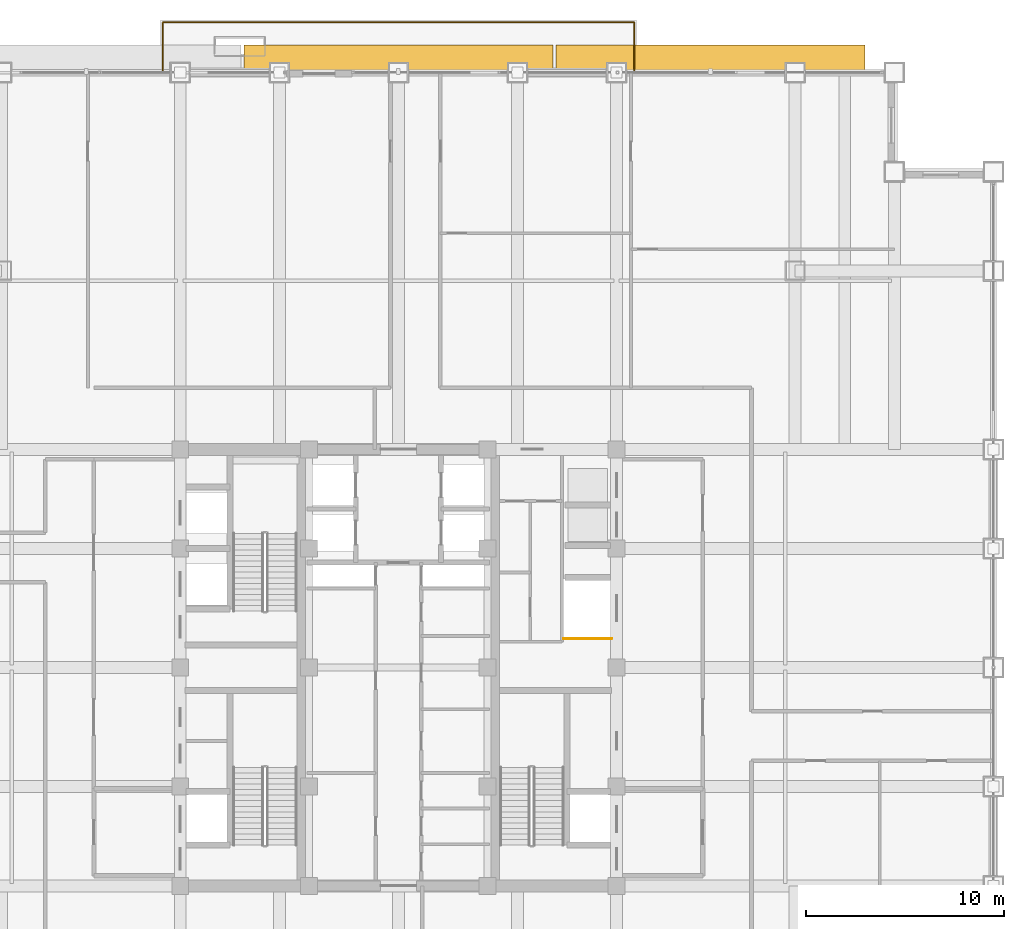
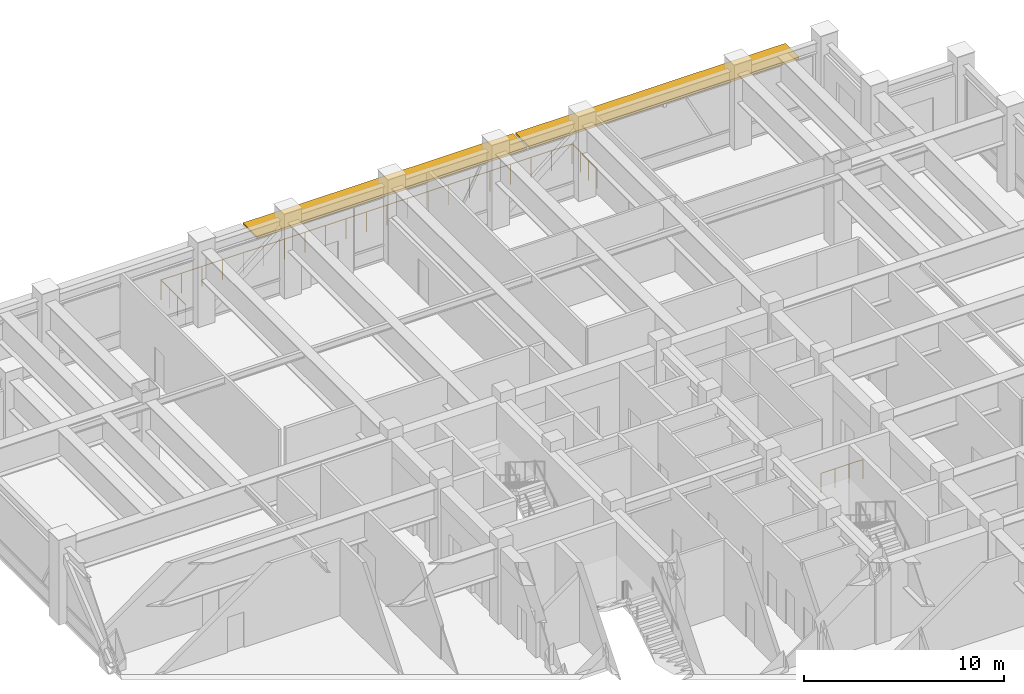
# One storey, part 32 of 33: 2 railings, 2 shading devices.
"""IFC4 building model written with IfcOpenShell, lengths in metres."""

import ifcopenshell
import ifcopenshell.guid

model = None  # the IFC model being written
_history = None  # IfcOwnerHistory: only IFC2X3 demands one
_inside = {}  # id of a spatial element -> (the spatial element, [elements in it])
_under = {}  # id of a project, library or spatial element -> (it, [spatial elements below it])
_declared = {}  # id of a project -> (the project, [libraries it declares])
_typed = {}  # id of a type object -> (the type object, [elements of that type])
_made_of = {}  # id of a material, layer set ... -> (it, [elements and type objects made of it])


def new_model(schema):
    """Start an empty IFC model of exactly this schema.

    Asked for "IFC4X3", IfcOpenShell would pick the latest addendum, in which some entities
    have other attributes; the version numbers below select the first issue.
    IFC2X3 requires an IfcOwnerHistory on every rooted entity: one is made here for all.
    """
    global model, _history
    if schema == "IFC4X3":
        model = ifcopenshell.file(schema_version=(4, 3, 0, 0))
    else:
        model = ifcopenshell.file(schema=schema)
    _inside.clear()
    _under.clear()
    _declared.clear()
    _typed.clear()
    _made_of.clear()
    _history = None
    if model.schema == "IFC2X3":
        org = make("IfcOrganization", Name="unknown")
        user = make(
            "IfcPersonAndOrganization",
            ThePerson=make("IfcPerson", FamilyName="unknown"),
            TheOrganization=org,
        )
        app = make(
            "IfcApplication",
            ApplicationDeveloper=org,
            Version="unknown",
            ApplicationFullName="unknown",
            ApplicationIdentifier="unknown",
        )
        _history = make(
            "IfcOwnerHistory",
            OwningUser=user,
            OwningApplication=app,
            ChangeAction="ADDED",
            CreationDate=0,
        )
    return model


def make(cls, **values):
    """One entity of the class cls with the attributes given. An attribute that is None is left unset."""
    return model.create_entity(
        cls, **{name: value for name, value in values.items() if value is not None}
    )


def rooted(cls, **values):
    """An entity with a GlobalId (a new one), such as an element, a storey or a relation."""
    return make(cls, GlobalId=ifcopenshell.guid.new(), OwnerHistory=_history, **values)


def si_unit(unit_type, name, prefix=None):
    """IfcSIUnit, for example si_unit("LENGTHUNIT", "METRE", prefix="MILLI")."""
    return make("IfcSIUnit", UnitType=unit_type, Prefix=prefix, Name=name)


def assignment(units):
    """IfcUnitAssignment: the units of a project."""
    return None if units is None else make("IfcUnitAssignment", Units=units)


def point(xyz):
    """IfcCartesianPoint."""
    return None if xyz is None else make("IfcCartesianPoint", Coordinates=xyz)


def direction(xyz):
    """IfcDirection."""
    return None if xyz is None else make("IfcDirection", DirectionRatios=xyz)


def frame(location, z_axis=None, x_axis=None):
    """IfcAxis2Placement3D, a coordinate frame: its origin and axes. An axis left out is left unset."""
    return make(
        "IfcAxis2Placement3D",
        Location=point(location),
        Axis=direction(z_axis),
        RefDirection=direction(x_axis),
    )


def frame_2d(location, x_axis=None):
    """IfcAxis2Placement2D, a coordinate frame in the plane: its origin and x axis."""
    return make(
        "IfcAxis2Placement2D", Location=point(location), RefDirection=direction(x_axis)
    )


def origin():
    """The frame at (0, 0, 0) with its axes left unset."""
    return frame((0.0, 0.0, 0.0))


def origin_2d():
    """The frame at (0, 0) in the plane with its x axis left unset."""
    return frame_2d((0.0, 0.0))


def place(relative_to, where):
    """IfcLocalPlacement: puts the frame where relative to a parent placement (None: the world)."""
    return make(
        "IfcLocalPlacement", PlacementRelTo=relative_to, RelativePlacement=where
    )


def context(
    kind, dimensions, precision=None, world=None, true_north=None, identifier=None
):
    """IfcGeometricRepresentationContext, for example the 3D "Model" context."""
    return make(
        "IfcGeometricRepresentationContext",
        ContextIdentifier=identifier,
        ContextType=kind,
        CoordinateSpaceDimension=dimensions,
        Precision=precision,
        WorldCoordinateSystem=world,
        TrueNorth=true_north,
    )


def subcontext(parent, identifier, kind, view, scale=None):
    """IfcGeometricRepresentationSubContext, for example "Body" below "Model"."""
    return make(
        "IfcGeometricRepresentationSubContext",
        ContextIdentifier=identifier,
        ContextType=kind,
        ParentContext=parent,
        TargetScale=scale,
        TargetView=view,
    )


def project(units=None, contexts=None):
    """IfcProject with its units and contexts."""
    return rooted(
        "IfcProject",
        Name="project",
        RepresentationContexts=contexts,
        UnitsInContext=assignment(units),
    )


def spatial(cls, under=None, at=None, **own):
    """A site, building, storey or space (cls), placed at a placement, below another one or the project."""
    s = rooted(cls, ObjectPlacement=at, **own)
    if under is not None:
        _under.setdefault(under.id(), (under, []))[1].append(s)
    return s


def profile(cls, at=None, kind="AREA", **sizes):
    """A parametric profile (cls). Its sizes go by their IFC names, for example OverallWidth=200.0."""
    return make(cls, ProfileType=kind, Position=at, **sizes)


def rectangle(**sizes):
    """IfcRectangleProfileDef."""
    return profile("IfcRectangleProfileDef", **sizes)


def circle(**sizes):
    """IfcCircleProfileDef."""
    return profile("IfcCircleProfileDef", **sizes)


def extrude(swept, where, along, depth):
    """IfcExtrudedAreaSolid: the profile swept, set in the frame where, extruded along a direction by depth."""
    return make(
        "IfcExtrudedAreaSolid",
        SweptArea=swept,
        Position=where,
        ExtrudedDirection=direction(along),
        Depth=depth,
    )


def shape(context_of_items, identifier, shape_type, items):
    """IfcShapeRepresentation: the items that make up one representation, for example the "Body"."""
    return make(
        "IfcShapeRepresentation",
        ContextOfItems=context_of_items,
        RepresentationIdentifier=identifier,
        RepresentationType=shape_type,
        Items=items,
    )


def source(mapping_origin, context_of_items, identifier, shape_type, items):
    """IfcRepresentationMap: a shape defined once, which mapped items show again and again."""
    return make(
        "IfcRepresentationMap",
        MappingOrigin=mapping_origin,
        MappedRepresentation=shape(context_of_items, identifier, shape_type, items),
    )


def transform(
    local_origin,
    x_axis=None,
    y_axis=None,
    z_axis=None,
    scale=None,
    scale2=None,
    scale3=None,
    uniform=True,
):
    """IfcCartesianTransformationOperator3D, or its non-uniform kind. x_axis, y_axis, z_axis: its Axis1, 2, 3."""
    if uniform:
        return make(
            "IfcCartesianTransformationOperator3D",
            Axis1=direction(x_axis),
            Axis2=direction(y_axis),
            LocalOrigin=point(local_origin),
            Scale=scale,
            Axis3=direction(z_axis),
        )
    return make(
        "IfcCartesianTransformationOperator3DnonUniform",
        Axis1=direction(x_axis),
        Axis2=direction(y_axis),
        LocalOrigin=point(local_origin),
        Scale=scale,
        Axis3=direction(z_axis),
        Scale2=scale2,
        Scale3=scale3,
    )


def mapped(mapping_source, mapping_target):
    """IfcMappedItem: shows the shape of a source again, moved by a transform."""
    return make(
        "IfcMappedItem", MappingSource=mapping_source, MappingTarget=mapping_target
    )


def material(Name=None, Category=None):
    """IfcMaterial."""
    return make("IfcMaterial", Name=Name, Category=Category)


def layer(
    of_material, thickness, ventilated=None, Name=None, Category=None, Priority=None
):
    """IfcMaterialLayer: one layer of a wall or slab, of a material (None: an air gap)."""
    return make(
        "IfcMaterialLayer",
        Material=of_material,
        LayerThickness=thickness,
        IsVentilated=ventilated,
        Name=Name,
        Category=Category,
        Priority=Priority,
    )


def layer_set(layers, Name=None):
    """IfcMaterialLayerSet."""
    return make("IfcMaterialLayerSet", MaterialLayers=layers, LayerSetName=Name)


def made_of(thing, what):
    """Note that an element or type object is made of a material, layer set ...; save() writes the relation."""
    if what is not None:
        _made_of.setdefault(what.id(), (what, []))[1].append(thing)
    return thing


def type_object(cls, material=None, **own):
    """A type object (cls), such as IfcWallType, which elements share."""
    return made_of(rooted(cls, **own), material)


def element(
    cls,
    number,
    at=None,
    inside=None,
    cuts=None,
    type_object=None,
    material=None,
    context=None,
    identifier="Body",
    shape_type=None,
    held_by="IfcProductDefinitionShape",
    body=None,
    shapes=None,
    **own,
):
    """One element of the class cls, such as IfcWall. Its Tag is "e" and its number.

    at: its placement. inside: the storey or other place that contains it. cuts: it is an
    opening in that element (IfcRelVoidsElement). A single representation is given by context,
    identifier, shape_type and body (its items); several are given by shapes. held_by: the class
    of the entity that holds the representations. save() writes the other relations.
    """
    e = rooted(cls, Tag="e%d" % number, ObjectPlacement=at, **own)
    if body is not None:
        shapes = [shape(context, identifier, shape_type, body)]
    if shapes is not None:
        e.Representation = make(held_by, Representations=shapes)
    if inside is not None:
        _inside.setdefault(inside.id(), (inside, []))[1].append(e)
    if cuts is not None:
        rooted(
            "IfcRelVoidsElement", RelatingBuildingElement=cuts, RelatedOpeningElement=e
        )
    if type_object is not None:
        _typed.setdefault(type_object.id(), (type_object, []))[1].append(e)
    return made_of(e, material)


def aggregate(whole, parts):
    """IfcRelAggregates: a whole, such as a stair, and the parts it consists of."""
    return rooted("IfcRelAggregates", RelatingObject=whole, RelatedObjects=parts)


def save(model, path):
    """Write the relations noted so far, then the file.

    IfcRelAggregates (storeys below a building ...), IfcRelContainedInSpatialStructure (elements
    in a storey), IfcRelDefinesByType, IfcRelAssociatesMaterial and IfcRelDeclares: one each for
    every whole, place, type object, material and project.
    """
    for whole, parts in _under.values():
        aggregate(whole, parts)
    for where, things in _inside.values():
        rooted(
            "IfcRelContainedInSpatialStructure",
            RelatedElements=things,
            RelatingStructure=where,
        )
    for kind, things in _typed.values():
        rooted("IfcRelDefinesByType", RelatedObjects=things, RelatingType=kind)
    for what, things in _made_of.values():
        rooted("IfcRelAssociatesMaterial", RelatedObjects=things, RelatingMaterial=what)
    for by, libraries in _declared.values():
        rooted("IfcRelDeclares", RelatingContext=by, RelatedDefinitions=libraries)
    model.write(path)


model = new_model("IFC4")

# Units and contexts
model_context = context("Model", 3, precision=1e-05, world=origin(), true_north=direction((0.0, 1.0)))
body_context = subcontext(model_context, "Body", "Model", "MODEL_VIEW")
ifc_project = project(units=[si_unit("LENGTHUNIT", "METRE"), si_unit("AREAUNIT", "SQUARE_METRE"), si_unit("VOLUMEUNIT", "CUBIC_METRE"), si_unit("PLANEANGLEUNIT", "RADIAN"), si_unit("MASSUNIT", "GRAM", prefix="KILO")], contexts=[model_context])

# Site, building, storey
site_placement = place(None, origin())
site = spatial("IfcSite", under=ifc_project, at=site_placement, CompositionType="ELEMENT")
building_placement = place(site_placement, origin())
building = spatial("IfcBuilding", under=site, at=building_placement, Name="Khorayat Bourse Tower", CompositionType="ELEMENT")
storey_placement = place(building_placement, frame((0.0, 0.0, 263.10009765625)))
storey = spatial("IfcBuildingStorey", under=building, at=storey_placement, Name="L62", CompositionType="ELEMENT", Elevation=263.10009765625)

# Railing
ifc_material_1 = material(Name="Laminated glass and bronze balustrade", Category="glass")
railing_type_1 = type_object("IfcRailingType", Name="RLG-TERR-1250", PredefinedType="GUARDRAIL", material=ifc_material_1)
shared_shape_1 = source(origin(), body_context, "Body", "SweptSolid", [
    extrude(circle(Radius=0.02392578125, at=origin_2d()), frame((0.0, 0.0, 1.22607421875), z_axis=(0.0, 1.0, 0.0), x_axis=(-1.0, 0.0, 0.0)), (0.0, 0.0, 1.0), 2.47998046875),
    extrude(circle(Radius=0.02392578125, at=origin_2d()), frame((0.0, 2.47998046875, 1.22607421875), z_axis=(1.0, 0.0, 0.0), x_axis=(0.0, 1.0, 0.0)), (0.0, 0.0, 1.0), 23.759765625),
    extrude(circle(Radius=0.02392578125, at=origin_2d()), frame((23.759765625, 2.47998046875, 1.22607421875), z_axis=(0.0, -1.0, 0.0), x_axis=(1.0, 0.0, 0.0)), (0.0, 0.0, 1.0), 2.47998046875),
    extrude(circle(Radius=0.02099609375, at=origin_2d()), origin(), (0.0, 0.0, 1.0), 1.201904296875),
    extrude(circle(Radius=0.02099609375, at=origin_2d()), frame((0.0, 0.82666015625, 0.0)), (0.0, 0.0, 1.0), 1.201904296875),
    extrude(circle(Radius=0.02099609375, at=origin_2d()), frame((0.0, 1.6533203125, 0.0)), (0.0, 0.0, 1.0), 1.201904296875),
    extrude(circle(Radius=0.02099609375, at=origin_2d()), frame((0.0, 2.47998046875, 0.0)), (0.0, 0.0, 1.0), 1.201904296875),
    extrude(circle(Radius=0.02099609375, at=origin_2d()), frame((1.18798828125, 2.47998046875, 0.0)), (0.0, 0.0, 1.0), 1.201904296875),
    extrude(circle(Radius=0.02099609375, at=origin_2d()), frame((2.3759765625, 2.47998046875, 0.0)), (0.0, 0.0, 1.0), 1.201904296875),
    extrude(circle(Radius=0.02099609375, at=origin_2d()), frame((3.56396484375, 2.47998046875, 0.0)), (0.0, 0.0, 1.0), 1.201904296875),
    extrude(circle(Radius=0.02099609375, at=origin_2d()), frame((4.751953125, 2.47998046875, 0.0)), (0.0, 0.0, 1.0), 1.201904296875),
    extrude(circle(Radius=0.02099609375, at=origin_2d()), frame((5.93994140625, 2.47998046875, 0.0)), (0.0, 0.0, 1.0), 1.201904296875),
    extrude(circle(Radius=0.02099609375, at=origin_2d()), frame((7.1279296875, 2.47998046875, 0.0)), (0.0, 0.0, 1.0), 1.201904296875),
    extrude(circle(Radius=0.02099609375, at=origin_2d()), frame((8.31591796875, 2.47998046875, 0.0)), (0.0, 0.0, 1.0), 1.201904296875),
    extrude(circle(Radius=0.02099609375, at=origin_2d()), frame((9.50390625, 2.47998046875, 0.0)), (0.0, 0.0, 1.0), 1.201904296875),
    extrude(circle(Radius=0.02099609375, at=origin_2d()), frame((10.69189453125, 2.47998046875, 0.0)), (0.0, 0.0, 1.0), 1.201904296875),
    extrude(circle(Radius=0.02099609375, at=origin_2d()), frame((11.8798828125, 2.47998046875, 0.0)), (0.0, 0.0, 1.0), 1.201904296875),
    extrude(circle(Radius=0.02099609375, at=origin_2d()), frame((13.06787109375, 2.47998046875, 0.0)), (0.0, 0.0, 1.0), 1.201904296875),
    extrude(circle(Radius=0.02099609375, at=origin_2d()), frame((14.255859375, 2.47998046875, 0.0)), (0.0, 0.0, 1.0), 1.201904296875),
    extrude(circle(Radius=0.02099609375, at=origin_2d()), frame((15.44384765625, 2.47998046875, 0.0)), (0.0, 0.0, 1.0), 1.201904296875),
    extrude(circle(Radius=0.02099609375, at=origin_2d()), frame((16.6318359375, 2.47998046875, 0.0)), (0.0, 0.0, 1.0), 1.201904296875),
    extrude(circle(Radius=0.02099609375, at=origin_2d()), frame((17.81982421875, 2.47998046875, 0.0)), (0.0, 0.0, 1.0), 1.201904296875),
    extrude(circle(Radius=0.02099609375, at=origin_2d()), frame((19.0078125, 2.47998046875, 0.0)), (0.0, 0.0, 1.0), 1.201904296875),
    extrude(circle(Radius=0.02099609375, at=origin_2d()), frame((20.19580078125, 2.47998046875, 0.0)), (0.0, 0.0, 1.0), 1.201904296875),
    extrude(circle(Radius=0.02099609375, at=origin_2d()), frame((21.3837890625, 2.47998046875, 0.0)), (0.0, 0.0, 1.0), 1.201904296875),
    extrude(circle(Radius=0.02099609375, at=origin_2d()), frame((22.57177734375, 2.47998046875, 0.0)), (0.0, 0.0, 1.0), 1.201904296875),
    extrude(circle(Radius=0.02099609375, at=origin_2d()), frame((23.759765625, 2.47998046875, 0.0)), (0.0, 0.0, 1.0), 1.201904296875),
    extrude(circle(Radius=0.02099609375, at=origin_2d()), frame((23.759765625, 1.6533203125, 0.0)), (0.0, 0.0, 1.0), 1.201904296875),
    extrude(circle(Radius=0.02099609375, at=origin_2d()), frame((23.759765625, 0.82666015625, 0.0)), (0.0, 0.0, 1.0), 1.201904296875),
    extrude(circle(Radius=0.02099609375, at=origin_2d()), frame((23.759765625, 0.0, 0.0)), (0.0, 0.0, 1.0), 1.201904296875),
])
railing_1_placement = place(storey_placement, frame((-11.8798828125, 30.050048828125, 0.0)))
element("IfcRailing", 1, at=railing_1_placement, inside=storey, type_object=railing_type_1, Name="L62 North Sky Garden Guardrail", PredefinedType="GUARDRAIL", context=body_context, shape_type="MappedRepresentation", body=[
    mapped(shared_shape_1, transform((0.0, 0.0, 0.0), scale=1.0)),
])

# Shading devices
ifc_material_2 = material(Name="Precast concrete C45/55", Category="concrete")
ifc_layer = layer(ifc_material_2, 0.139892578125)
ifc_layer_set = layer_set([ifc_layer], Name="Precast concrete C45/55")
shading_device_type = type_object("IfcShadingDeviceType", Name="SHD-WAVE-TRAY-B", PredefinedType="USERDEFINED", material=ifc_layer_set)
shared_shape_2 = source(origin(), body_context, "Body", "SweptSolid", [
    extrude(rectangle(XDim=15.59326171875, YDim=1.3974609375, at=origin_2d()), origin(), (0.0, 0.0, 1.0), 0.139892578125),
])
shading_device_1_placement = place(storey_placement, frame((15.7333984375, 30.6787109375, 3.85009765625), z_axis=(0.0, 0.0, 1.0), x_axis=(1.0, 0.0, 0.0)))
element("IfcShadingDevice", 2, at=shading_device_1_placement, inside=storey, type_object=shading_device_type, Name="L62 Sinusoidal Wave Sunshade Tray N-3", ObjectType="SUNSHADE", PredefinedType="USERDEFINED", context=body_context, shape_type="MappedRepresentation", body=[
    mapped(shared_shape_2, transform((0.0, 0.0, 0.0), scale=1.0)),
])
shared_shape_3 = source(origin(), body_context, "Body", "SweptSolid", [
    extrude(rectangle(XDim=15.59326171875, YDim=1.39990234375, at=origin_2d()), origin(), (0.0, 0.0, 1.0), 0.139892578125),
])
shading_device_2_placement = place(storey_placement, frame((0.0, 30.679931640625, 3.85009765625), z_axis=(0.0, 0.0, 1.0), x_axis=(1.0, 0.0, 0.0)))
element("IfcShadingDevice", 3, at=shading_device_2_placement, inside=storey, type_object=shading_device_type, Name="L62 Sinusoidal Wave Sunshade Tray N-2", ObjectType="SUNSHADE", PredefinedType="USERDEFINED", context=body_context, shape_type="MappedRepresentation", body=[
    mapped(shared_shape_3, transform((0.0, 0.0, 0.0), scale=1.0)),
])

# Railing
ifc_material_3 = material(Name="Powder-coated steel balustrade", Category="steel")
railing_type_2 = type_object("IfcRailingType", Name="RLG-GUARD-1200", PredefinedType="GUARDRAIL", material=ifc_material_3)
shared_shape_4 = source(origin(), body_context, "Body", "SweptSolid", [
    extrude(circle(Radius=0.02392578125, at=origin_2d()), frame((0.0, 0.0, 1.17578125), z_axis=(1.0, 0.0, 0.0), x_axis=(0.0, 1.0, 0.0)), (0.0, 0.0, 1.0), 2.429931640625),
    extrude(circle(Radius=0.02099609375, at=origin_2d()), origin(), (0.0, 0.0, 1.0), 1.15185546875),
    extrude(circle(Radius=0.02099609375, at=origin_2d()), frame((0.81005859375, 0.0, 0.0)), (0.0, 0.0, 1.0), 1.15185546875),
    extrude(circle(Radius=0.02099609375, at=origin_2d()), frame((1.619873046875, 0.0, 0.0)), (0.0, 0.0, 1.0), 1.15185546875),
    extrude(circle(Radius=0.02099609375, at=origin_2d()), frame((2.429931640625, 0.0, 0.0)), (0.0, 0.0, 1.0), 1.15185546875),
])
railing_2_placement = place(storey_placement, frame((8.320068359375, 1.4599609375, 0.0)))
element("IfcRailing", 4, at=railing_2_placement, inside=storey, type_object=railing_type_2, Name="L62 Goods Shaft Opening Guardrail", PredefinedType="GUARDRAIL", context=body_context, shape_type="MappedRepresentation", body=[
    mapped(shared_shape_4, transform((0.0, 0.0, 0.0), scale=1.0)),
])

save(model, "model.ifc")
